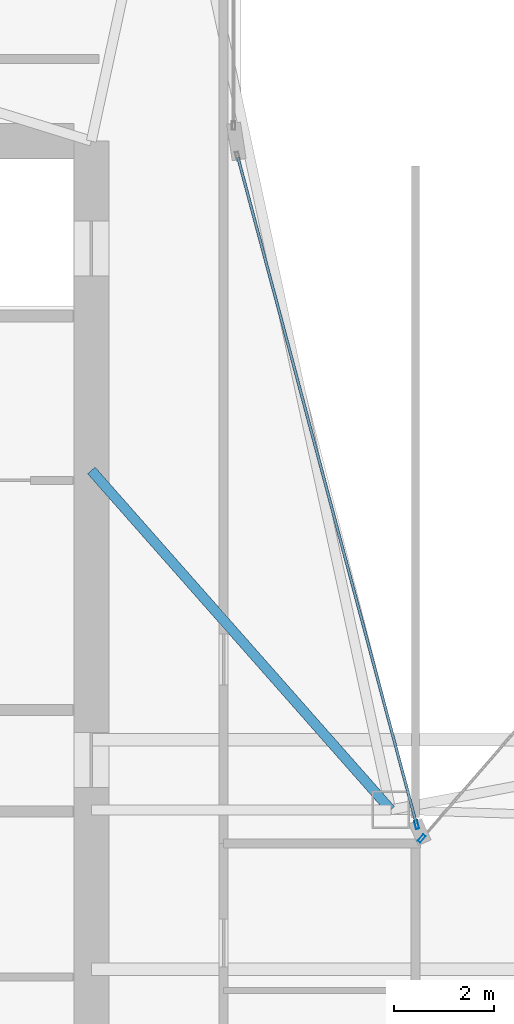
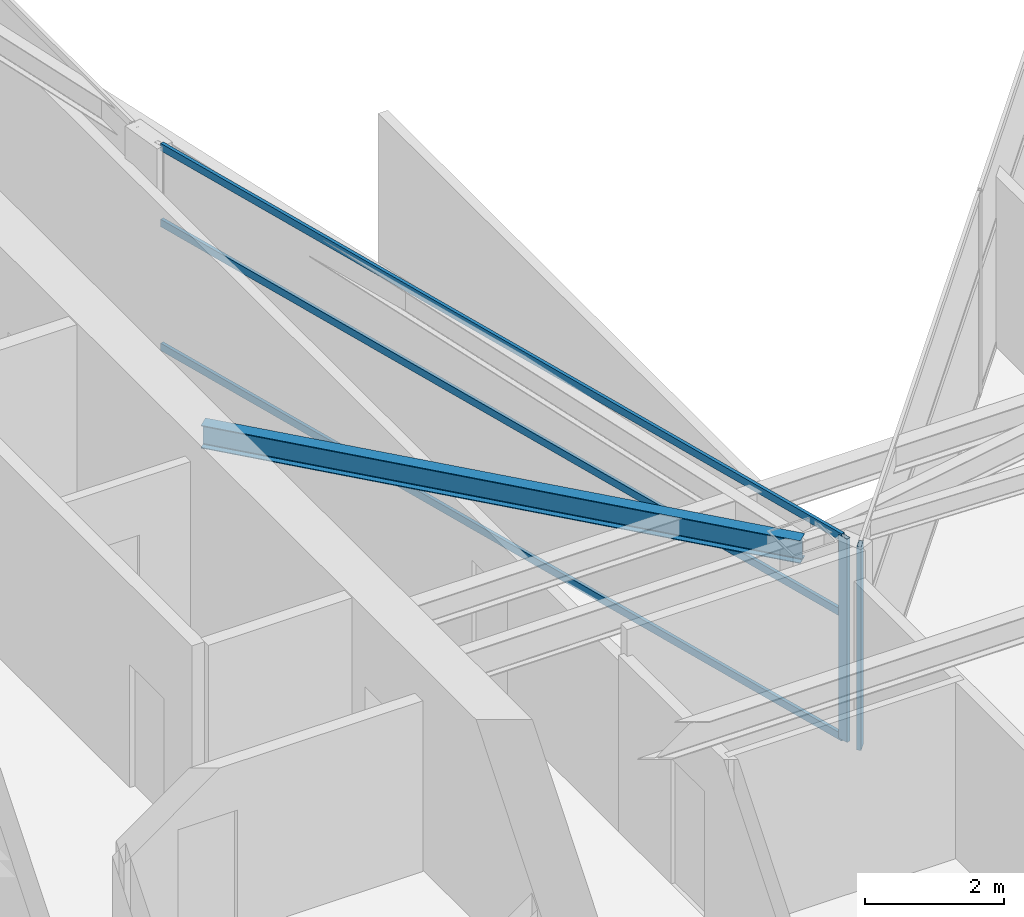
# One storey, part 11 of 29: 5 members, 1 beam, 2 elements without a shape of their own.
"""IFC4 building model written with IfcOpenShell, lengths in metres."""

from ifc_helpers import new_model, si_unit, direction, frame, origin, origin_2d, place, context, subcontext, project, spatial, hollow_rectangle, i_section, extrude, material, layer, layer_set, material_profile, profile_set, type_object, element, aggregate, save


model = new_model("IFC4")

# Units and contexts
model_context = context("Model", 3, precision=1e-05, world=origin(), true_north=direction((0.0, 1.0)))
body_context = subcontext(model_context, "Body", "Model", "MODEL_VIEW")
ifc_project = project(units=[si_unit("LENGTHUNIT", "METRE"), si_unit("AREAUNIT", "SQUARE_METRE"), si_unit("VOLUMEUNIT", "CUBIC_METRE"), si_unit("PLANEANGLEUNIT", "RADIAN"), si_unit("MASSUNIT", "GRAM", prefix="KILO")], contexts=[model_context])

# Site, building, storey
site_placement = place(None, origin())
site = spatial("IfcSite", under=ifc_project, at=site_placement, CompositionType="ELEMENT")
building_placement = place(site_placement, origin())
building = spatial("IfcBuilding", under=site, at=building_placement, Name="Calvorn Quay Hotel", CompositionType="ELEMENT")
storey_placement = place(building_placement, frame((0.0, 0.0, 255.199951171875)))
storey = spatial("IfcBuildingStorey", under=building, at=storey_placement, Name="L63", CompositionType="ELEMENT", Elevation=255.199951171875)

# Beam
ifc_material_1 = material(Name="Steel Q355B", Category="steel")
ifc_material_profile_1 = material_profile(ifc_material_1, i_section(OverallWidth=0.199951171875, OverallDepth=0.39990234375, WebThickness=0.008056640625, FlangeThickness=0.012939453125, FilletRadius=0.01611328125, at=origin_2d()), Name="HN400x200x8x13")
ifc_profile_set_1 = profile_set([ifc_material_profile_1], Name="Steel Q355B")
beam_type = type_object("IfcBeamType", Name="BM-JOIST-TYP", PredefinedType="JOIST", material=ifc_profile_set_1)
beam_placement = place(storey_placement, frame((15.0, 31.800048828125, 3.340087890625), z_axis=(0.661618965899, -0.749840212287, 0.0), x_axis=(0.749840212287, 0.661618965899, 0.0)))
element("IfcBeam", 1, at=beam_placement, inside=storey, type_object=beam_type, Name="Beam BJ-L63-C1", PredefinedType="JOIST", context=body_context, shape_type="SweptSolid", body=[
    extrude(i_section(OverallWidth=0.199951171875, OverallDepth=0.39990234375, WebThickness=0.008056640625, FlangeThickness=0.012939453125, FilletRadius=0.01611328125, at=origin_2d()), origin(), (0.0, 0.0, 1.0), 9.068603515625),
])

# Curtain wall, member
ifc_material_2 = material(Name="Champagne Bronze Anodised Aluminium and Low-E Glass", Category="aluminium")
ifc_layer = layer(ifc_material_2, 0.219970703125)
ifc_layer_set = layer_set([ifc_layer], Name="CW-SYS-Z4")
curtain_wall_type = type_object("IfcCurtainWallType", Name="CW-SYS-Z4", PredefinedType="NOTDEFINED", material=ifc_layer_set)
curtain_wall_1_placement = place(storey_placement, origin())
curtain_wall_1 = element("IfcCurtainWall", 2, at=curtain_wall_1_placement, inside=storey, type_object=curtain_wall_type, Name="Inner Court Curtain Wall L63-NE1", PredefinedType="NOTDEFINED")
ifc_material_3 = material(Name="Champagne Bronze Anodised Aluminium 6063-T6", Category="aluminium")
ifc_material_profile_2 = material_profile(ifc_material_3, hollow_rectangle(XDim=0.06494140625, YDim=0.169921875, WallThickness=0.00341796875, at=origin_2d()), Name="ALU-M170x65x3.5")
ifc_profile_set_2 = profile_set([ifc_material_profile_2], Name="Champagne Bronze Anodised Aluminium 6063-T6")
member_type_1 = type_object("IfcMemberType", Name="CW-SYS-Z4-MUL", PredefinedType="MULLION", material=ifc_profile_set_2)
member_1_placement = place(storey_placement, frame((21.61962890625, 24.422607421875, 0.0), z_axis=(0.0, 0.0, 1.0), x_axis=(0.755322467304, -0.655353317216, 0.0)))
member_1 = element("IfcMember", 3, at=member_1_placement, type_object=member_type_1, Name="CW-L63-NE1 mullion 3", PredefinedType="MULLION", context=body_context, shape_type="SweptSolid", body=[
    extrude(hollow_rectangle(XDim=0.06494140625, YDim=0.169921875, WallThickness=0.00341796875, at=origin_2d()), origin(), (0.0, 0.0, 1.0), 3.56005859375),
])
aggregate(curtain_wall_1, [member_1])

# Curtain wall, members
curtain_wall_2_placement = place(storey_placement, origin())
curtain_wall_2 = element("IfcCurtainWall", 4, at=curtain_wall_2_placement, inside=storey, type_object=curtain_wall_type, Name="Inner Court Curtain Wall L63-IC1", PredefinedType="NOTDEFINED")
member_2_placement = place(storey_placement, frame((21.520263671875, 24.698974609375, 0.0), z_axis=(0.0, 0.0, 1.0), x_axis=(-0.96593652056, -0.25877913024, 0.0)))
member_2 = element("IfcMember", 5, at=member_2_placement, type_object=member_type_1, Name="CW-L63-IC1 mullion 1", PredefinedType="MULLION", context=body_context, shape_type="SweptSolid", body=[
    extrude(hollow_rectangle(XDim=0.06494140625, YDim=0.169921875, WallThickness=0.00341796875, at=origin_2d()), origin(), (0.0, 0.0, 1.0), 3.56005859375),
])
ifc_material_4 = material(Name="Champagne Bronze Anodised Aluminium 6063-T6", Category="aluminium")
ifc_material_profile_3 = material_profile(ifc_material_4, hollow_rectangle(XDim=0.054931640625, YDim=0.1298828125, WallThickness=0.003173828125, at=origin_2d()), Name="ALU-T130x55x3.2")
ifc_profile_set_3 = profile_set([ifc_material_profile_3], Name="Champagne Bronze Anodised Aluminium 6063-T6")
member_type_2 = type_object("IfcMemberType", Name="CW-SYS-Z4-TRN", PredefinedType="USERDEFINED", material=ifc_profile_set_3)
member_3_placement = place(storey_placement, frame((21.512451171875, 24.72802734375, 0.030029296875), z_axis=(-0.258781136883, 0.965935982969, 0.0), x_axis=(-0.965935982969, -0.258781136883, 0.0)))
member_3 = element("IfcMember", 6, at=member_3_placement, type_object=member_type_2, Name="CW-L63-IC1 transom 1.1", ObjectType="TRANSOM", PredefinedType="USERDEFINED", context=body_context, shape_type="SweptSolid", body=[
    extrude(hollow_rectangle(XDim=0.054931640625, YDim=0.1298828125, WallThickness=0.003173828125, at=origin_2d()), origin(), (0.0, 0.0, 1.0), 13.814453125),
])
member_4_placement = place(storey_placement, frame((21.512451171875, 24.72802734375, 2.199951171875), z_axis=(-0.258781136883, 0.965935982969, 0.0), x_axis=(-0.965935982969, -0.258781136883, 0.0)))
member_4 = element("IfcMember", 7, at=member_4_placement, type_object=member_type_2, Name="CW-L63-IC1 transom 1.2", ObjectType="TRANSOM", PredefinedType="USERDEFINED", context=body_context, shape_type="SweptSolid", body=[
    extrude(hollow_rectangle(XDim=0.054931640625, YDim=0.1298828125, WallThickness=0.003173828125, at=origin_2d()), origin(), (0.0, 0.0, 1.0), 13.814453125),
])
member_5_placement = place(storey_placement, frame((21.512451171875, 24.72802734375, 3.530029296875), z_axis=(-0.258781136883, 0.965935982969, 0.0), x_axis=(-0.965935982969, -0.258781136883, 0.0)))
member_5 = element("IfcMember", 8, at=member_5_placement, type_object=member_type_2, Name="CW-L63-IC1 transom 1.3", ObjectType="TRANSOM", PredefinedType="USERDEFINED", context=body_context, shape_type="SweptSolid", body=[
    extrude(hollow_rectangle(XDim=0.054931640625, YDim=0.1298828125, WallThickness=0.003173828125, at=origin_2d()), origin(), (0.0, 0.0, 1.0), 13.814453125),
])
aggregate(curtain_wall_2, [member_2, member_3, member_4, member_5])

save(model, "model.ifc")
